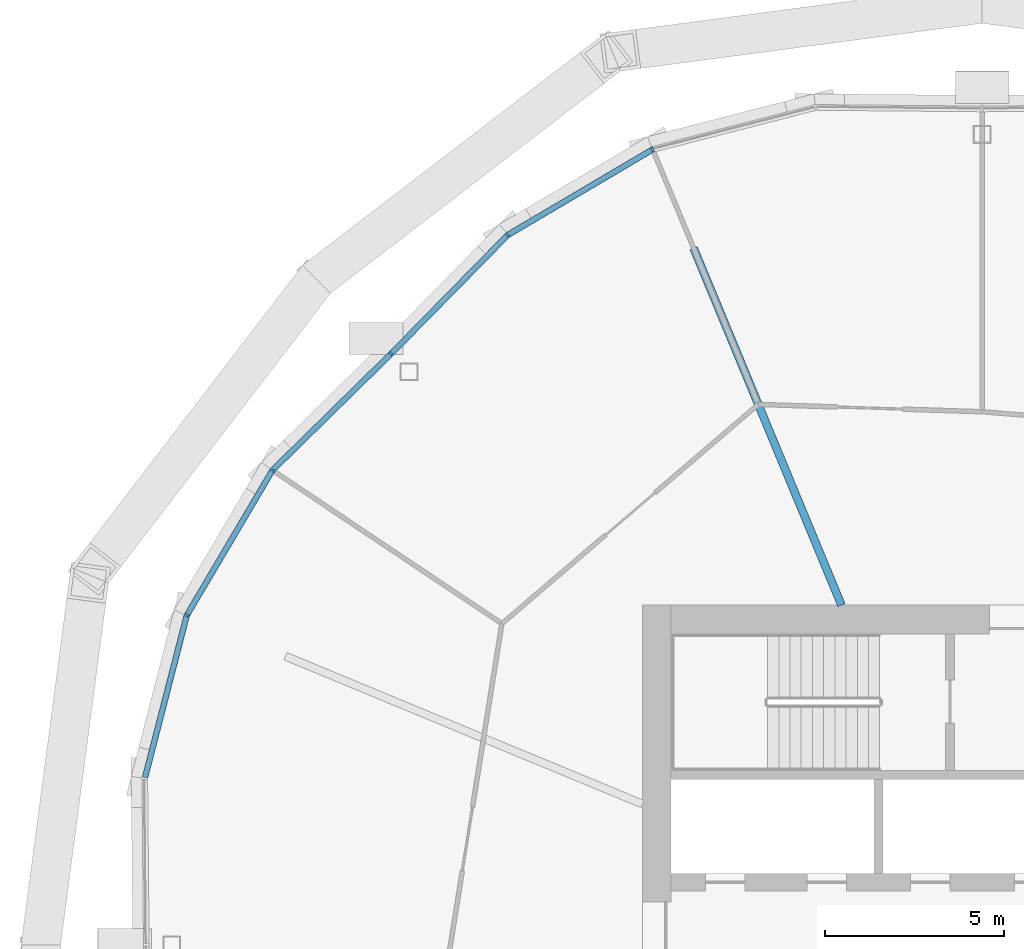
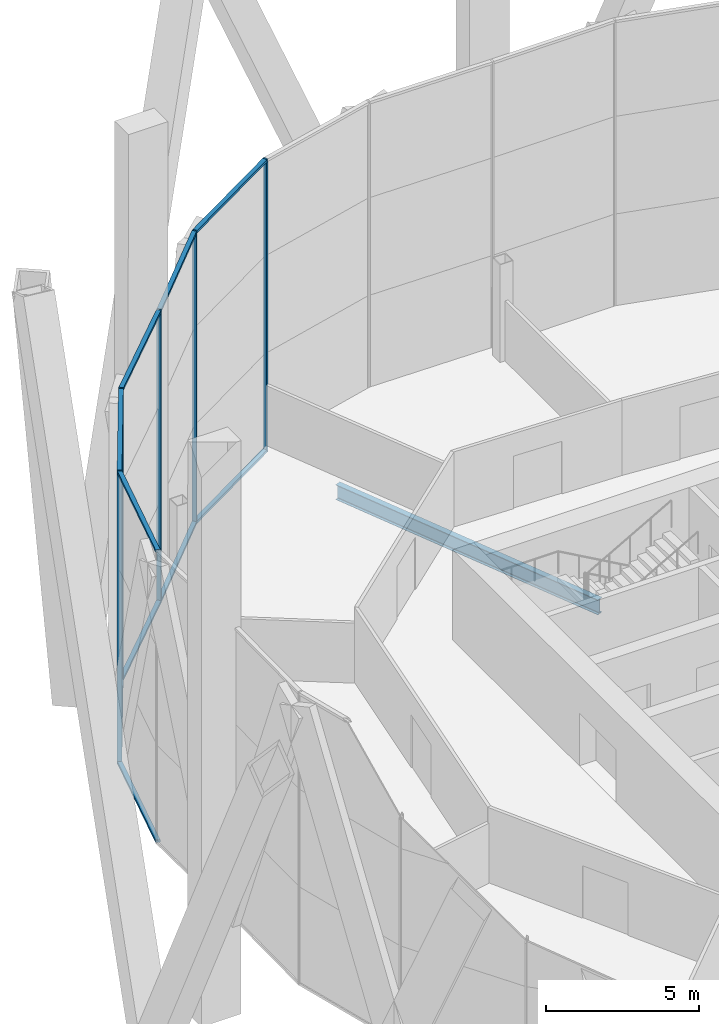
# One storey, part 6 of 26: 15 members, 1 beam, 2 elements without a shape of their own.
"""IFC4 building model written with IfcOpenShell, lengths in metres."""

from ifc_helpers import new_model, si_unit, direction, frame, origin, origin_2d, place, context, subcontext, project, spatial, rectangle, i_section, extrude, material, material_profile, profile_set, type_object, element, aggregate, save


model = new_model("IFC4")

# Units and contexts
model_context = context("Model", 3, precision=1e-05, world=origin(), true_north=direction((0.0, 1.0)))
body_context = subcontext(model_context, "Body", "Model", "MODEL_VIEW")
ifc_project = project(units=[si_unit("LENGTHUNIT", "METRE"), si_unit("AREAUNIT", "SQUARE_METRE"), si_unit("VOLUMEUNIT", "CUBIC_METRE"), si_unit("PLANEANGLEUNIT", "RADIAN"), si_unit("MASSUNIT", "GRAM", prefix="KILO")], contexts=[model_context])

# Site, building, storey
site_placement = place(None, origin())
site = spatial("IfcSite", under=ifc_project, at=site_placement, CompositionType="ELEMENT")
building_placement = place(site_placement, origin())
building = spatial("IfcBuilding", under=site, at=building_placement, Name="Ogive Gate Towers", CompositionType="ELEMENT")
storey_placement = place(building_placement, frame((0.0, 0.0, 76.199951171875)))
storey = spatial("IfcBuildingStorey", under=building, at=storey_placement, Name="L17", CompositionType="ELEMENT", Elevation=76.199951171875)

# Beam
ifc_material_1 = material(Name="Steel SM355", Category="steel")
ifc_material_profile_1 = material_profile(ifc_material_1, i_section(OverallWidth=0.219970703125, OverallDepth=0.60009765625, WebThickness=0.011962890625, FlangeThickness=0.01904296875, FilletRadius=0.02392578125, at=origin_2d()), Name="IPE 600")
ifc_profile_set_1 = profile_set([ifc_material_profile_1], Name="Steel SM355")
beam_type = type_object("IfcBeamType", Name="Radial floor beam IPE 600", PredefinedType="BEAM", material=ifc_profile_set_1)
beam_placement = place(storey_placement, frame((-39.93505859375, 9.5, -0.599853515625), z_axis=(-0.382675609774, 0.923882772696, 0.0), x_axis=(-0.923882772696, -0.382675609774, 0.0)))
element("IfcBeam", 1, at=beam_placement, inside=storey, type_object=beam_type, Name="T1/L17/SBM006", PredefinedType="BEAM", context=body_context, shape_type="SweptSolid", body=[
    extrude(i_section(OverallWidth=0.219970703125, OverallDepth=0.60009765625, WebThickness=0.011962890625, FlangeThickness=0.01904296875, FilletRadius=0.02392578125, at=origin_2d()), origin(), (0.0, 0.0, 1.0), 10.809326171875),
])

# Curtain wall, members
ifc_material_2 = material(Name="Pale metal aluminium", Category="aluminium")
curtain_wall_type = type_object("IfcCurtainWallType", Name="Tower unitised wall, low zone", PredefinedType="NOTDEFINED", material=ifc_material_2)
curtain_wall_1_placement = place(storey_placement, origin())
curtain_wall_1 = element("IfcCurtainWall", 2, at=curtain_wall_1_placement, inside=storey, type_object=curtain_wall_type, Name="CW1 T1 ECW03", PredefinedType="NOTDEFINED")
ifc_material_profile_2 = material_profile(ifc_material_2, rectangle(XDim=0.159912109375, YDim=0.06005859375, at=origin_2d()), Name="60 x 160 aluminium box")
ifc_profile_set_2 = profile_set([ifc_material_profile_2], Name="Pale metal aluminium")
member_type_1 = type_object("IfcMemberType", Name="Tower unitised wall, low zone mullion 60 x 160", PredefinedType="MULLION", material=ifc_profile_set_2)
member_1_placement = place(storey_placement, frame((-45.21533203125, 22.247802734375, -0.300048828125), z_axis=(0.0, 0.0, 1.0), x_axis=(-0.382683432365, 0.923879532511, 0.0)))
member_1 = element("IfcMember", 3, at=member_1_placement, type_object=member_type_1, Name="CW1 mullion", PredefinedType="MULLION", context=body_context, shape_type="SweptSolid", body=[
    extrude(rectangle(XDim=0.159912109375, YDim=0.06005859375, at=origin_2d()), origin(), (0.0, 0.0, 1.0), 11.7001953125),
])
member_2_placement = place(storey_placement, frame((-49.2724609375, 19.8525390625, -0.300048828125), z_axis=(0.0, 0.0, 1.0), x_axis=(-0.616238951915, 0.787559238498, 0.0)))
member_2 = element("IfcMember", 4, at=member_2_placement, type_object=member_type_1, Name="CW1 mullion", PredefinedType="MULLION", context=body_context, shape_type="SweptSolid", body=[
    extrude(rectangle(XDim=0.159912109375, YDim=0.06005859375, at=origin_2d()), origin(), (0.0, 0.0, 1.0), 11.7001953125),
])
member_3_placement = place(storey_placement, frame((-52.531982421875, 16.5322265625, -0.300048828125), z_axis=(0.0, 0.0, 1.0), x_axis=(-0.713568438241, 0.700585529358, 0.0)))
member_3 = element("IfcMember", 5, at=member_3_placement, type_object=member_type_1, Name="CW1 mullion", PredefinedType="MULLION", context=body_context, shape_type="SweptSolid", body=[
    extrude(rectangle(XDim=0.159912109375, YDim=0.06005859375, at=origin_2d()), origin(), (0.0, 0.0, 1.0), 11.7001953125),
])

curtain_wall_2_placement = place(storey_placement, origin())
curtain_wall_2 = element("IfcCurtainWall", 6, at=curtain_wall_2_placement, inside=storey, type_object=curtain_wall_type, Name="CW1 T1 ECW04", PredefinedType="NOTDEFINED")
member_4_placement = place(storey_placement, frame((-55.8525390625, 13.2724609375, -0.300048828125), z_axis=(0.0, 0.0, 1.0), x_axis=(-0.787559238498, 0.616238951915, 0.0)))
member_4 = element("IfcMember", 7, at=member_4_placement, type_object=member_type_1, Name="CW1 mullion", PredefinedType="MULLION", context=body_context, shape_type="SweptSolid", body=[
    extrude(rectangle(XDim=0.159912109375, YDim=0.06005859375, at=origin_2d()), origin(), (0.0, 0.0, 1.0), 11.7001953125),
])
member_5_placement = place(storey_placement, frame((-58.247802734375, 9.21533203125, -0.300048828125), z_axis=(0.0, 0.0, 1.0), x_axis=(-0.923879532511, 0.382683432365, 0.0)))
member_5 = element("IfcMember", 8, at=member_5_placement, type_object=member_type_1, Name="CW1 mullion", PredefinedType="MULLION", context=body_context, shape_type="SweptSolid", body=[
    extrude(rectangle(XDim=0.159912109375, YDim=0.06005859375, at=origin_2d()), origin(), (0.0, 0.0, 1.0), 11.7001953125),
])

# Member
ifc_material_profile_3 = material_profile(ifc_material_2, rectangle(XDim=0.159912109375, YDim=0.10009765625, at=origin_2d()), Name="100 x 160 aluminium box")
ifc_profile_set_3 = profile_set([ifc_material_profile_3], Name="Pale metal aluminium")
member_type_2 = type_object("IfcMemberType", Name="Tower unitised wall, low zone transom 100 x 160", PredefinedType="USERDEFINED", material=ifc_profile_set_3)
member_6_placement = place(storey_placement, frame((-45.23876953125, 22.23388671875, 11.35009765625), z_axis=(-0.861125816028, -0.508391904902, 0.0), x_axis=(0.508391904902, -0.861125816028, 0.0)))
member_6 = element("IfcMember", 9, at=member_6_placement, type_object=member_type_2, Name="CW1 transom", ObjectType="TRANSOM", PredefinedType="USERDEFINED", context=body_context, shape_type="SweptSolid", body=[
    extrude(rectangle(XDim=0.159912109375, YDim=0.10009765625, at=origin_2d()), origin(), (0.0, 0.0, 1.0), 4.65673828125),
])

member_7_placement = place(storey_placement, frame((-45.23876953125, 22.23388671875, -0.25), z_axis=(-0.861125816028, -0.508391904902, 0.0), x_axis=(0.508391904902, -0.861125816028, 0.0)))
member_7 = element("IfcMember", 10, at=member_7_placement, type_object=member_type_2, Name="CW1 transom", ObjectType="TRANSOM", PredefinedType="USERDEFINED", context=body_context, shape_type="SweptSolid", body=[
    extrude(rectangle(XDim=0.159912109375, YDim=0.10009765625, at=origin_2d()), origin(), (0.0, 0.0, 1.0), 4.65673828125),
])

member_8_placement = place(storey_placement, frame((-49.29150390625, 19.8330078125, 11.35009765625), z_axis=(-0.700568931342, -0.713584733888, 0.0), x_axis=(0.713584733888, -0.700568931342, 0.0)))
member_8 = element("IfcMember", 11, at=member_8_placement, type_object=member_type_2, Name="CW1 transom", ObjectType="TRANSOM", PredefinedType="USERDEFINED", context=body_context, shape_type="SweptSolid", body=[
    extrude(rectangle(XDim=0.159912109375, YDim=0.10009765625, at=origin_2d()), origin(), (0.0, 0.0, 1.0), 4.595458984375),
])

member_9_placement = place(storey_placement, frame((-49.29150390625, 19.8330078125, -0.25), z_axis=(-0.700568931342, -0.713584733888, 0.0), x_axis=(0.713584733888, -0.700568931342, 0.0)))
member_9 = element("IfcMember", 12, at=member_9_placement, type_object=member_type_2, Name="CW1 transom", ObjectType="TRANSOM", PredefinedType="USERDEFINED", context=body_context, shape_type="SweptSolid", body=[
    extrude(rectangle(XDim=0.159912109375, YDim=0.10009765625, at=origin_2d()), origin(), (0.0, 0.0, 1.0), 4.595458984375),
])

aggregate(curtain_wall_1, [member_1, member_2, member_6, member_7, member_3, member_8, member_9])

member_10_placement = place(storey_placement, frame((-52.5537109375, 16.510986328125, 11.35009765625), z_axis=(-0.713584733888, -0.700568931342, 0.0), x_axis=(0.700568931342, -0.713584733888, 0.0)))
member_10 = element("IfcMember", 13, at=member_10_placement, type_object=member_type_2, Name="CW1 transom", ObjectType="TRANSOM", PredefinedType="USERDEFINED", context=body_context, shape_type="SweptSolid", body=[
    extrude(rectangle(XDim=0.159912109375, YDim=0.10009765625, at=origin_2d()), origin(), (0.0, 0.0, 1.0), 4.595458984375),
])

member_11_placement = place(storey_placement, frame((-52.5537109375, 16.510986328125, -0.25), z_axis=(-0.713584733888, -0.700568931342, 0.0), x_axis=(0.700568931342, -0.713584733888, 0.0)))
member_11 = element("IfcMember", 14, at=member_11_placement, type_object=member_type_2, Name="CW1 transom", ObjectType="TRANSOM", PredefinedType="USERDEFINED", context=body_context, shape_type="SweptSolid", body=[
    extrude(rectangle(XDim=0.159912109375, YDim=0.10009765625, at=origin_2d()), origin(), (0.0, 0.0, 1.0), 4.595458984375),
])

member_12_placement = place(storey_placement, frame((-55.866455078125, 13.248779296875, 11.35009765625), z_axis=(-0.508391904902, -0.861125816028, 0.0), x_axis=(0.861125816028, -0.508391904902, 0.0)))
member_12 = element("IfcMember", 15, at=member_12_placement, type_object=member_type_2, Name="CW1 transom", ObjectType="TRANSOM", PredefinedType="USERDEFINED", context=body_context, shape_type="SweptSolid", body=[
    extrude(rectangle(XDim=0.159912109375, YDim=0.10009765625, at=origin_2d()), origin(), (0.0, 0.0, 1.0), 4.65673828125),
])

member_13_placement = place(storey_placement, frame((-55.866455078125, 13.248779296875, -0.25), z_axis=(-0.508391904902, -0.861125816028, 0.0), x_axis=(0.861125816028, -0.508391904902, 0.0)))
member_13 = element("IfcMember", 16, at=member_13_placement, type_object=member_type_2, Name="CW1 transom", ObjectType="TRANSOM", PredefinedType="USERDEFINED", context=body_context, shape_type="SweptSolid", body=[
    extrude(rectangle(XDim=0.159912109375, YDim=0.10009765625, at=origin_2d()), origin(), (0.0, 0.0, 1.0), 4.65673828125),
])

member_14_placement = place(storey_placement, frame((-58.25439453125, 9.189208984375, 11.35009765625), z_axis=(-0.249437215612, -0.968390972422, 0.0), x_axis=(0.968390972422, -0.249437215612, 0.0)))
member_14 = element("IfcMember", 17, at=member_14_placement, type_object=member_type_2, Name="CW1 transom", ObjectType="TRANSOM", PredefinedType="USERDEFINED", context=body_context, shape_type="SweptSolid", body=[
    extrude(rectangle(XDim=0.159912109375, YDim=0.10009765625, at=origin_2d()), origin(), (0.0, 0.0, 1.0), 4.656982421875),
])

member_15_placement = place(storey_placement, frame((-58.25439453125, 9.189208984375, -0.25), z_axis=(-0.249437215612, -0.968390972422, 0.0), x_axis=(0.968390972422, -0.249437215612, 0.0)))
member_15 = element("IfcMember", 18, at=member_15_placement, type_object=member_type_2, Name="CW1 transom", ObjectType="TRANSOM", PredefinedType="USERDEFINED", context=body_context, shape_type="SweptSolid", body=[
    extrude(rectangle(XDim=0.159912109375, YDim=0.10009765625, at=origin_2d()), origin(), (0.0, 0.0, 1.0), 4.656982421875),
])

aggregate(curtain_wall_2, [member_4, member_10, member_11, member_5, member_12, member_13, member_14, member_15])

save(model, "model.ifc")
